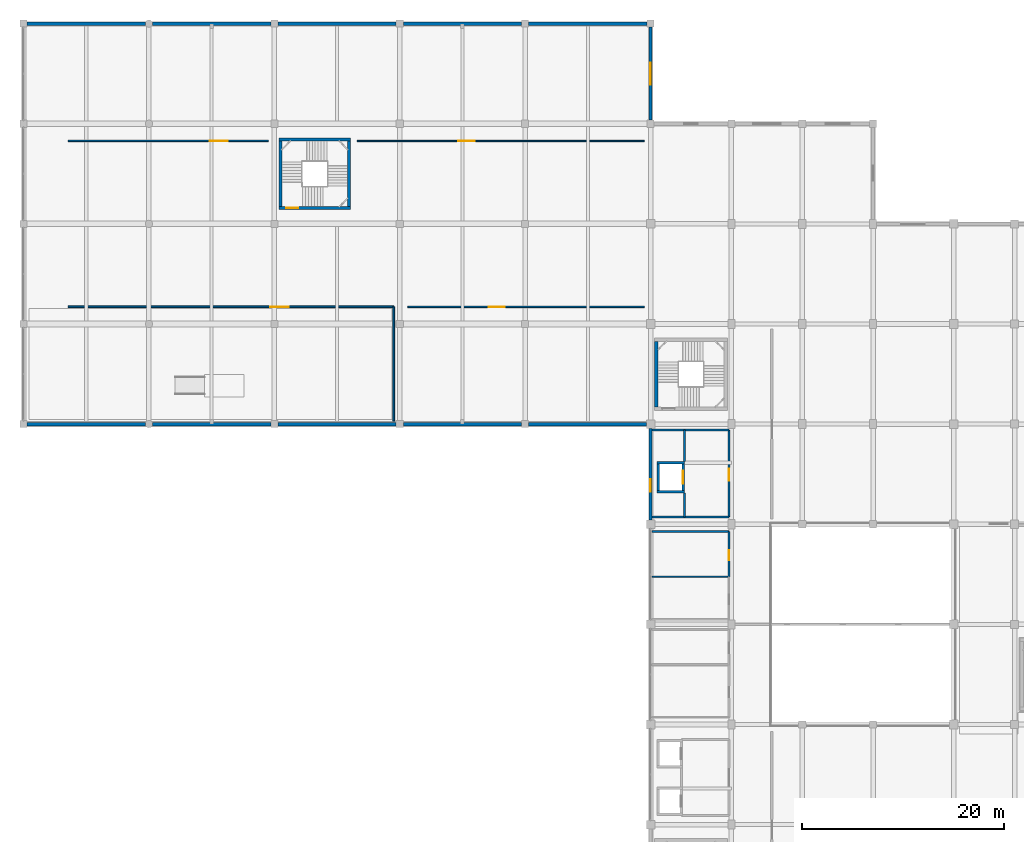
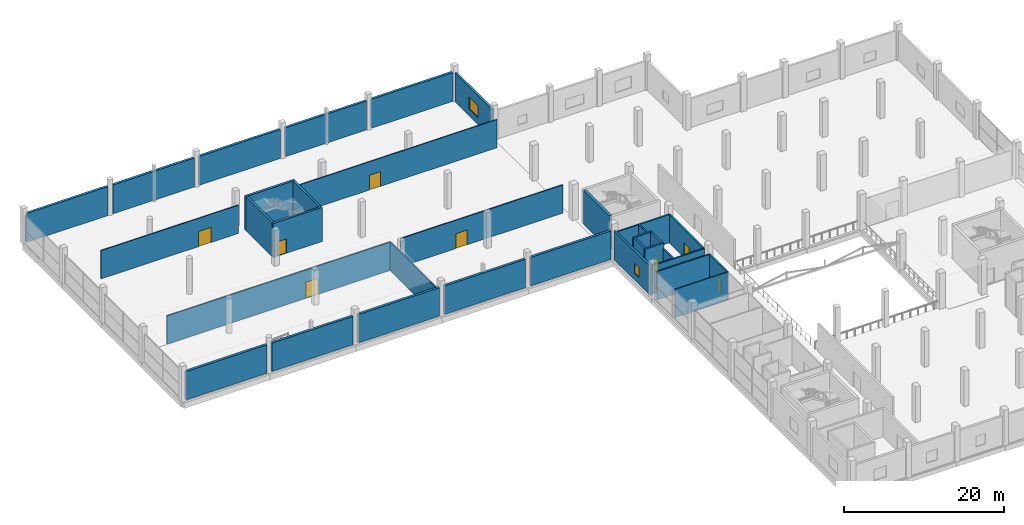
# One storey, part 46 of 74: 34 walls, 8 doors, 2 windows, 10 openings.
"""IFC4 building model written with IfcOpenShell, lengths in metres."""

from ifc_helpers import new_model, si_unit, direction, frame, frame_2d, origin, place, context, subcontext, project, spatial, rectangle, extrude, material, layer, layer_set, type_object, element, fill, save


model = new_model("IFC4")

# Units and contexts
model_context = context("Model", 3, precision=1e-05, world=origin(), true_north=direction((0.0, 1.0)))
body_context = subcontext(model_context, "Body", "Model", "MODEL_VIEW")
ifc_project = project(units=[si_unit("LENGTHUNIT", "METRE"), si_unit("AREAUNIT", "SQUARE_METRE"), si_unit("VOLUMEUNIT", "CUBIC_METRE"), si_unit("PLANEANGLEUNIT", "RADIAN"), si_unit("MASSUNIT", "GRAM", prefix="KILO")], contexts=[model_context])

# Site, building, storey
site_placement = place(None, origin())
site = spatial("IfcSite", under=ifc_project, at=site_placement, CompositionType="ELEMENT")
building_placement = place(site_placement, origin())
building = spatial("IfcBuilding", under=site, at=building_placement, Name="Sillaruma Civic Art Gallery", CompositionType="ELEMENT")
storey_placement = place(building_placement, frame((0.0, 0.0, 5.43994140625)))
storey = spatial("IfcBuildingStorey", under=building, at=storey_placement, Name="L01", CompositionType="ELEMENT", Elevation=5.43994140625)

# Wall, opening, door
ifc_material_1 = material(Name="Concrete H40 (40 MPa)", Category="concrete")
ifc_layer_1 = layer(ifc_material_1, 0.300048828125, Name="Concrete H40 (40 MPa)")
ifc_layer_set_1 = layer_set([ifc_layer_1], Name="Concrete H40 (40 MPa)")
wall_type_1 = type_object("IfcWallType", Name="WAL-CORE-300", PredefinedType="SHEAR", material=ifc_layer_set_1)
wall_1_placement = place(storey_placement, frame((25.260009765625, 100.550048828125, 0.0), z_axis=(0.0, 0.0, 1.0), x_axis=(1.0, 0.0, 0.0)))
wall_1 = element("IfcWall", 1, at=wall_1_placement, inside=storey, type_object=wall_type_1, Name="Stair Core Shear Wall W-CORE-300 (ST-01:L01:S)", PredefinedType="SHEAR", context=body_context, shape_type="SweptSolid", body=[
    extrude(rectangle(XDim=7.080078125, YDim=0.300048828125, at=frame_2d((3.5400390625, 0.0))), origin(), (0.0, 0.0, 1.0), 5.18017578125),
])
opening_1_placement = place(wall_1_placement, frame((0.719970703125, 0.0, 0.0)))
opening_1 = element("IfcOpeningElement", 2, at=opening_1_placement, cuts=wall_1, Name="Opening D-STAIR", PredefinedType="OPENING", context=body_context, shape_type="SweptSolid", body=[
    extrude(rectangle(XDim=1.199951171875, YDim=2.199951171875, at=frame_2d((0.60009765625, 1.10009765625))), frame((0.0, 0.159912109375, 0.0), z_axis=(0.0, -1.0, 0.0), x_axis=(1.0, 0.0, 0.0)), (0.0, 0.0, 1.0), 0.320068359375),
])
ifc_material_2 = material(Name="Galvanised Steel ASTM A653 Gr.50", Category="steel")
door_type_1 = type_object("IfcDoorType", Name="DOR-STAIR-120", OperationType="NOTDEFINED", PredefinedType="DOOR", material=ifc_material_2)
door_1_placement = place(opening_1_placement, origin())
door_1 = element("IfcDoor", 3, at=door_1_placement, inside=storey, type_object=door_type_1, Name="Protected Stair Fire Door (ST-01:L01)", OperationType="SINGLE_SWING_LEFT", OverallHeight=2.199951171875, OverallWidth=1.199951171875, PredefinedType="DOOR", context=body_context, shape_type="SweptSolid", body=[
    extrude(rectangle(XDim=1.199951171875, YDim=2.199951171875, at=frame_2d((0.60009765625, 1.10009765625))), frame((0.0, 0.02490234375, 0.0), z_axis=(0.0, -1.0, 0.0), x_axis=(1.0, 0.0, 0.0)), (0.0, 0.0, 1.0), 0.050048828125),
])
fill(opening_1, door_1)

# Walls
wall_2_placement = place(storey_placement, frame((25.260009765625, 107.330078125, 0.0), z_axis=(0.0, 0.0, 1.0), x_axis=(1.0, 0.0, 0.0)))
element("IfcWall", 4, at=wall_2_placement, inside=storey, type_object=wall_type_1, Name="Stair Core Shear Wall W-CORE-300 (ST-01:L01:N)", PredefinedType="SHEAR", context=body_context, shape_type="SweptSolid", body=[
    extrude(rectangle(XDim=7.080078125, YDim=0.300048828125, at=frame_2d((3.5400390625, 0.0))), origin(), (0.0, 0.0, 1.0), 5.18017578125),
])
for number, where, z_axis, x_axis, name in (
    (5, (25.409912109375, 100.699951171875, 0.0), (0.0, 0.0, 1.0), (0.0, 1.0, 0.0), "Stair Core Shear Wall W-CORE-300 (ST-01:L01:W)"),
    (6, (32.18994140625, 100.699951171875, 0.0), (0.0, 0.0, 1.0), (0.0, 1.0, 0.0), "Stair Core Shear Wall W-CORE-300 (ST-01:L01:E)"),
):
    element("IfcWall", number, at=place(storey_placement, frame(where, z_axis=z_axis, x_axis=x_axis)), inside=storey, type_object=wall_type_1, Name=name, PredefinedType="SHEAR", context=body_context, shape_type="SweptSolid", body=[
        extrude(rectangle(XDim=6.47998046875, YDim=0.300048828125, at=frame_2d((3.239990234375, 0.0))), origin(), (0.0, 0.0, 1.0), 5.18017578125),
    ])
ifc_layer_2 = layer(ifc_material_1, 0.35009765625, Name="Concrete H40 (40 MPa)")
ifc_layer_set_2 = layer_set([ifc_layer_2], Name="Concrete H40 (40 MPa)")
wall_type_2 = type_object("IfcWallType", Name="WAL-CORE-350", PredefinedType="SHEAR", material=ifc_layer_set_2)
wall_3_placement = place(storey_placement, frame((62.5849609375, 80.909912109375, 0.0), z_axis=(0.0, 0.0, 1.0), x_axis=(0.0, 1.0, 0.0)))
element("IfcWall", 7, at=wall_3_placement, inside=storey, type_object=wall_type_2, Name="Stair Core Shear Wall W-CORE-350 (ST-02:L01:W)", PredefinedType="SHEAR", context=body_context, shape_type="SweptSolid", body=[
    extrude(rectangle(XDim=6.47998046875, YDim=0.35009765625, at=frame_2d((3.239990234375, 0.0))), origin(), (0.0, 0.0, 1.0), 5.18017578125),
])

# Wall, opening, window
ifc_material_3 = material(Name="Concrete H35 (35 MPa)", Category="concrete")
ifc_layer_3 = layer(ifc_material_3, 0.159912109375, Name="Concrete backup", Category="concrete")
ifc_material_4 = material(Name="Mineral Wool Thermal Insulation", Category="insulation")
ifc_layer_4 = layer(ifc_material_4, 0.090087890625, Name="Thermal insulation", Category="insulation")
ifc_material_5 = material(Name="Anodised Zinc-Aluminium Alloy", Category="aluminium")
ifc_layer_5 = layer(ifc_material_5, 0.030029296875, Name="Rainscreen finish", Category="aluminium")
ifc_layer_set_3 = layer_set([ifc_layer_3, ifc_layer_4, ifc_layer_5], Name="W-EXT-280")
wall_type_3 = type_object("IfcWallType", Name="WAL-EXT-280", PredefinedType="SOLIDWALL", material=ifc_layer_set_3)
wall_4_placement = place(storey_placement, frame((62.0, 69.72509765625, 0.0), z_axis=(0.0, 0.0, 1.0), x_axis=(0.0, 1.0, 0.0)))
wall_4 = element("IfcWall", 8, at=wall_4_placement, inside=storey, type_object=wall_type_3, Name="Exterior Wall W-EXT-280 (EW-L01-SPW-6)", PredefinedType="SOLIDWALL", context=body_context, shape_type="SweptSolid", body=[
    extrude(rectangle(XDim=9.0498046875, YDim=0.280029296875, at=frame_2d((4.52490234375, 0.0))), origin(), (0.0, 0.0, 1.0), 4.400146484375),
])
opening_2_placement = place(wall_4_placement, frame((2.800048828125, 0.0, 1.050048828125)))
opening_2 = element("IfcOpeningElement", 9, at=opening_2_placement, cuts=wall_4, Name="Opening WN-07", PredefinedType="OPENING", context=body_context, shape_type="SweptSolid", body=[
    extrude(rectangle(XDim=1.199951171875, YDim=1.5, at=frame_2d((0.60009765625, 0.75))), frame((0.0, 0.14990234375, 0.0), z_axis=(0.0, -1.0, 0.0), x_axis=(1.0, 0.0, 0.0)), (0.0, 0.0, 1.0), 0.300048828125),
])
ifc_material_6 = material(Name="Thermally Broken Extruded Aluminium 6063-T6", Category="aluminium")
window_type_1 = type_object("IfcWindowType", Name="WIN-W07", PartitioningType="SINGLE_PANEL", PredefinedType="WINDOW", material=ifc_material_6)
window_1_placement = place(opening_2_placement, origin())
window_1 = element("IfcWindow", 10, at=window_1_placement, inside=storey, type_object=window_type_1, Name="Window WN-07 (EW-L01-SPW-6-1)", OverallHeight=1.5, OverallWidth=1.199951171875, PartitioningType="SINGLE_PANEL", PredefinedType="WINDOW", context=body_context, shape_type="SweptSolid", body=[
    extrude(rectangle(XDim=1.199951171875, YDim=1.5, at=frame_2d((0.60009765625, 0.75))), frame((0.0, 0.030029296875, 0.0), z_axis=(0.0, -1.0, 0.0), x_axis=(1.0, 0.0, 0.0)), (0.0, 0.0, 1.0), 0.06005859375),
])
fill(opening_2, window_1)

ifc_material_7 = material(Name="Precast Concrete H35 (35 MPa)", Category="concrete")
ifc_layer_6 = layer(ifc_material_7, 0.179931640625, Name="Precast backup", Category="concrete")
ifc_layer_7 = layer(ifc_material_4, 0.090087890625, Name="Thermal insulation", Category="insulation")
ifc_material_8 = material(Name="Comanche Granitic Ashlar Stone", Category="masonry")
ifc_layer_8 = layer(ifc_material_8, 0.030029296875, Name="Rainscreen cladding", Category="masonry")
ifc_layer_set_4 = layer_set([ifc_layer_6, ifc_layer_7, ifc_layer_8], Name="W-EXT-300")
wall_type_4 = type_object("IfcWallType", Name="WAL-EXT-300", PredefinedType="SOLIDWALL", material=ifc_layer_set_4)
wall_5_placement = place(storey_placement, frame((62.0, 109.25, 0.0), z_axis=(0.0, 0.0, 1.0), x_axis=(0.0, 1.0, 0.0)))
wall_5 = element("IfcWall", 11, at=wall_5_placement, inside=storey, type_object=wall_type_4, Name="Exterior Wall W-EXT-300 (EW-L01-PNW-W)", PredefinedType="SOLIDWALL", context=body_context, shape_type="SweptSolid", body=[
    extrude(rectangle(XDim=9.199951171875, YDim=0.300048828125, at=frame_2d((4.60009765625, 0.0))), origin(), (0.0, 0.0, 1.0), 4.400146484375),
])
opening_3_placement = place(wall_5_placement, frame((3.5, 0.0, 1.050048828125)))
opening_3 = element("IfcOpeningElement", 12, at=opening_3_placement, cuts=wall_5, Name="Opening WN-02", PredefinedType="OPENING", context=body_context, shape_type="SweptSolid", body=[
    extrude(rectangle(XDim=2.199951171875, YDim=1.800048828125, at=frame_2d((1.10009765625, 0.89990234375))), frame((0.0, 0.159912109375, 0.0), z_axis=(0.0, -1.0, 0.0), x_axis=(1.0, 0.0, 0.0)), (0.0, 0.0, 1.0), 0.320068359375),
])
window_type_2 = type_object("IfcWindowType", Name="WIN-W02", PartitioningType="SINGLE_PANEL", PredefinedType="WINDOW", material=ifc_material_6)
window_2_placement = place(opening_3_placement, origin())
window_2 = element("IfcWindow", 13, at=window_2_placement, inside=storey, type_object=window_type_2, Name="Window WN-02 (EW-L01-PNW-W-1)", OverallHeight=1.800048828125, OverallWidth=2.199951171875, PartitioningType="SINGLE_PANEL", PredefinedType="WINDOW", context=body_context, shape_type="SweptSolid", body=[
    extrude(rectangle(XDim=2.199951171875, YDim=1.800048828125, at=frame_2d((1.10009765625, 0.89990234375))), frame((0.0, 0.030029296875, 0.0), z_axis=(0.0, -1.0, 0.0), x_axis=(1.0, 0.0, 0.0)), (0.0, 0.0, 1.0), 0.06005859375),
])
fill(opening_3, window_2)

# Walls
ifc_layer_9 = layer(ifc_material_1, 0.239990234375, Name="Boundary concrete", Category="concrete")
ifc_layer_10 = layer(ifc_material_4, 0.10009765625, Name="Acoustic-thermal liner", Category="insulation")
ifc_layer_set_5 = layer_set([ifc_layer_9, ifc_layer_10], Name="W-EXT-340")
wall_type_5 = type_object("IfcWallType", Name="WAL-EXT-340", PredefinedType="SOLIDWALL", material=ifc_layer_set_5)
wall_6_placement = place(storey_placement, frame((0.35009765625, 118.800048828125, 0.0), z_axis=(0.0, 0.0, 1.0), x_axis=(1.0, 0.0, 0.0)))
element("IfcWall", 14, at=wall_6_placement, inside=storey, type_object=wall_type_5, Name="Exterior Wall W-EXT-340 (EW-L01-WPN-1)", PredefinedType="SOLIDWALL", context=body_context, shape_type="SweptSolid", body=[
    extrude(rectangle(XDim=11.68994140625, YDim=0.340087890625, at=frame_2d((5.844970703125, 0.0))), origin(), (0.0, 0.0, 1.0), 4.400146484375),
])
wall_7_placement = place(storey_placement, frame((0.35009765625, 79.199951171875, 0.0), z_axis=(0.0, 0.0, 1.0), x_axis=(1.0, 0.0, 0.0)))
element("IfcWall", 15, at=wall_7_placement, inside=storey, type_object=wall_type_5, Name="Exterior Wall W-EXT-340 (EW-L01-WPS-1)", PredefinedType="SOLIDWALL", context=body_context, shape_type="SweptSolid", body=[
    extrude(rectangle(XDim=11.68994140625, YDim=0.340087890625, at=frame_2d((5.844970703125, 0.0))), origin(), (0.0, 0.0, 1.0), 4.330078125),
])
wall_8_placement = place(storey_placement, frame((12.760009765625, 118.800048828125, 0.0), z_axis=(0.0, 0.0, 1.0), x_axis=(1.0, 0.0, 0.0)))
element("IfcWall", 16, at=wall_8_placement, inside=storey, type_object=wall_type_5, Name="Exterior Wall W-EXT-340 (EW-L01-WPN-2)", PredefinedType="SOLIDWALL", context=body_context, shape_type="SweptSolid", body=[
    extrude(rectangle(XDim=11.68994140625, YDim=0.340087890625, at=frame_2d((5.844970703125, 0.0))), origin(), (0.0, 0.0, 1.0), 4.400146484375),
])
wall_9_placement = place(storey_placement, frame((12.760009765625, 79.199951171875, 0.0), z_axis=(0.0, 0.0, 1.0), x_axis=(1.0, 0.0, 0.0)))
element("IfcWall", 17, at=wall_9_placement, inside=storey, type_object=wall_type_5, Name="Exterior Wall W-EXT-340 (EW-L01-WPS-2)", PredefinedType="SOLIDWALL", context=body_context, shape_type="SweptSolid", body=[
    extrude(rectangle(XDim=11.68994140625, YDim=0.340087890625, at=frame_2d((5.844970703125, 0.0))), origin(), (0.0, 0.0, 1.0), 4.330078125),
])
wall_10_placement = place(storey_placement, frame((25.14990234375, 118.800048828125, 0.0), z_axis=(0.0, 0.0, 1.0), x_axis=(1.0, 0.0, 0.0)))
element("IfcWall", 18, at=wall_10_placement, inside=storey, type_object=wall_type_5, Name="Exterior Wall W-EXT-340 (EW-L01-WPN-3)", PredefinedType="SOLIDWALL", context=body_context, shape_type="SweptSolid", body=[
    extrude(rectangle(XDim=11.7001953125, YDim=0.340087890625, at=frame_2d((5.85009765625, 0.0))), origin(), (0.0, 0.0, 1.0), 4.400146484375),
])
wall_11_placement = place(storey_placement, frame((25.14990234375, 79.199951171875, 0.0), z_axis=(0.0, 0.0, 1.0), x_axis=(1.0, 0.0, 0.0)))
element("IfcWall", 19, at=wall_11_placement, inside=storey, type_object=wall_type_5, Name="Exterior Wall W-EXT-340 (EW-L01-WPS-3)", PredefinedType="SOLIDWALL", context=body_context, shape_type="SweptSolid", body=[
    extrude(rectangle(XDim=11.7001953125, YDim=0.340087890625, at=frame_2d((5.85009765625, 0.0))), origin(), (0.0, 0.0, 1.0), 4.330078125),
])
wall_12_placement = place(storey_placement, frame((37.550048828125, 118.800048828125, 0.0), z_axis=(0.0, 0.0, 1.0), x_axis=(1.0, 0.0, 0.0)))
element("IfcWall", 20, at=wall_12_placement, inside=storey, type_object=wall_type_5, Name="Exterior Wall W-EXT-340 (EW-L01-WPN-4)", PredefinedType="SOLIDWALL", context=body_context, shape_type="SweptSolid", body=[
    extrude(rectangle(XDim=11.699951171875, YDim=0.340087890625, at=frame_2d((5.85009765625, 0.0))), origin(), (0.0, 0.0, 1.0), 4.400146484375),
])
wall_13_placement = place(storey_placement, frame((37.550048828125, 79.199951171875, 0.0), z_axis=(0.0, 0.0, 1.0), x_axis=(1.0, 0.0, 0.0)))
element("IfcWall", 21, at=wall_13_placement, inside=storey, type_object=wall_type_5, Name="Exterior Wall W-EXT-340 (EW-L01-WPS-4)", PredefinedType="SOLIDWALL", context=body_context, shape_type="SweptSolid", body=[
    extrude(rectangle(XDim=11.699951171875, YDim=0.340087890625, at=frame_2d((5.85009765625, 0.0))), origin(), (0.0, 0.0, 1.0), 4.330078125),
])
wall_14_placement = place(storey_placement, frame((49.949951171875, 118.800048828125, 0.0), z_axis=(0.0, 0.0, 1.0), x_axis=(1.0, 0.0, 0.0)))
element("IfcWall", 22, at=wall_14_placement, inside=storey, type_object=wall_type_5, Name="Exterior Wall W-EXT-340 (EW-L01-WPN-5)", PredefinedType="SOLIDWALL", context=body_context, shape_type="SweptSolid", body=[
    extrude(rectangle(XDim=11.699951171875, YDim=0.340087890625, at=frame_2d((5.85009765625, 0.0))), origin(), (0.0, 0.0, 1.0), 4.400146484375),
])
wall_15_placement = place(storey_placement, frame((49.949951171875, 79.199951171875, 0.0), z_axis=(0.0, 0.0, 1.0), x_axis=(1.0, 0.0, 0.0)))
element("IfcWall", 23, at=wall_15_placement, inside=storey, type_object=wall_type_5, Name="Exterior Wall W-EXT-340 (EW-L01-WPS-5)", PredefinedType="SOLIDWALL", context=body_context, shape_type="SweptSolid", body=[
    extrude(rectangle(XDim=11.625, YDim=0.340087890625, at=frame_2d((5.8125, 0.0))), origin(), (0.0, 0.0, 1.0), 4.330078125),
])
ifc_material_9 = material(Name="Concrete Masonry Unit Grade M15", Category="masonry")
ifc_layer_11 = layer(ifc_material_9, 0.199951171875, Name="Concrete Masonry Unit Grade M15")
ifc_layer_set_6 = layer_set([ifc_layer_11], Name="Concrete Masonry Unit Grade M15")
wall_type_6 = type_object("IfcWallType", Name="WAL-LOBBY-200", PredefinedType="SOLIDWALL", material=ifc_layer_set_6)
for number, where, z_axis, x_axis, name in (
    (24, (62.14990234375, 70.0, 0.0), (0.0, 0.0, 1.0), (1.0, 0.0, 0.0), "Interior Wall W-LOBBY-200 (L01-FFL)"),
    (25, (62.14990234375, 78.60009765625, 0.0), (0.0, 0.0, 1.0), (1.0, 0.0, 0.0), "Interior Wall W-LOBBY-200 (L01-FFL)"),
):
    element("IfcWall", number, at=place(storey_placement, frame(where, z_axis=z_axis, x_axis=x_axis)), inside=storey, type_object=wall_type_6, Name=name, PredefinedType="SOLIDWALL", context=body_context, shape_type="SweptSolid", body=[
        extrude(rectangle(XDim=7.60009765625, YDim=0.199951171875, at=frame_2d((3.800048828125, 0.0))), origin(), (0.0, 0.0, 1.0), 4.300048828125),
    ])
wall_16_placement = place(storey_placement, frame((65.35009765625, 70.0, 0.0), z_axis=(0.0, 0.0, 1.0), x_axis=(0.0, 1.0, 0.0)))
element("IfcWall", 26, at=wall_16_placement, inside=storey, type_object=wall_type_6, Name="Interior Wall W-LOBBY-200 (L01-FFL)", PredefinedType="SOLIDWALL", context=body_context, shape_type="SweptSolid", body=[
    extrude(rectangle(XDim=2.39990234375, YDim=0.199951171875, at=frame_2d((1.199951171875, 0.0))), origin(), (0.0, 0.0, 1.0), 4.300048828125),
])
wall_17_placement = place(storey_placement, frame((65.35009765625, 75.5, 0.0), z_axis=(0.0, 0.0, 1.0), x_axis=(0.0, 1.0, 0.0)))
element("IfcWall", 27, at=wall_17_placement, inside=storey, type_object=wall_type_6, Name="Interior Wall W-LOBBY-200 (L01-FFL)", PredefinedType="SOLIDWALL", context=body_context, shape_type="SweptSolid", body=[
    extrude(rectangle(XDim=3.10009765625, YDim=0.199951171875, at=frame_2d((1.550048828125, 0.0))), origin(), (0.0, 0.0, 1.0), 4.300048828125),
])

# Wall, opening, door
wall_18_placement = place(storey_placement, frame((69.75, 70.0, 0.0), z_axis=(0.0, 0.0, 1.0), x_axis=(0.0, 1.0, 0.0)))
wall_18 = element("IfcWall", 28, at=wall_18_placement, inside=storey, type_object=wall_type_6, Name="Interior Wall W-LOBBY-200 (L01-FFL)", PredefinedType="SOLIDWALL", context=body_context, shape_type="SweptSolid", body=[
    extrude(rectangle(XDim=8.60009765625, YDim=0.199951171875, at=frame_2d((4.300048828125, 0.0))), origin(), (0.0, 0.0, 1.0), 4.300048828125),
])
opening_4_placement = place(wall_18_placement, frame((3.60009765625, 0.0, 0.0)))
opening_4 = element("IfcOpeningElement", 29, at=opening_4_placement, cuts=wall_18, Name="Opening D-FFL", PredefinedType="OPENING", context=body_context, shape_type="SweptSolid", body=[
    extrude(rectangle(XDim=1.199951171875, YDim=2.25, at=frame_2d((0.60009765625, 1.125))), frame((0.0, 0.10986328125, 0.0), z_axis=(0.0, -1.0, 0.0), x_axis=(1.0, 0.0, 0.0)), (0.0, 0.0, 1.0), 0.219970703125),
])
door_type_2 = type_object("IfcDoorType", Name="DOR-FFL-120", OperationType="NOTDEFINED", PredefinedType="DOOR", material=ifc_material_2)
door_2_placement = place(opening_4_placement, origin())
door_2 = element("IfcDoor", 30, at=door_2_placement, inside=storey, type_object=door_type_2, Name="Firefighting Lobby Door (D-FFL)", OperationType="SINGLE_SWING_RIGHT", OverallHeight=2.25, OverallWidth=1.199951171875, PredefinedType="DOOR", context=body_context, shape_type="SweptSolid", body=[
    extrude(rectangle(XDim=1.199951171875, YDim=2.25, at=frame_2d((0.60009765625, 1.125))), frame((0.0, 0.02490234375, 0.0), z_axis=(0.0, -1.0, 0.0), x_axis=(1.0, 0.0, 0.0)), (0.0, 0.0, 1.0), 0.050048828125),
])
fill(opening_4, door_2)

# Wall
wall_19_placement = place(storey_placement, frame((62.14990234375, 68.60009765625, 0.0), z_axis=(0.0, 0.0, 1.0), x_axis=(1.0, 0.0, 0.0)))
element("IfcWall", 31, at=wall_19_placement, inside=storey, type_object=wall_type_6, Name="Interior Wall W-LOBBY-200 (L01-RSR)", PredefinedType="SOLIDWALL", context=body_context, shape_type="SweptSolid", body=[
    extrude(rectangle(XDim=7.60009765625, YDim=0.199951171875, at=frame_2d((3.800048828125, 0.0))), origin(), (0.0, 0.0, 1.0), 4.300048828125),
])

# Wall, opening, door
wall_20_placement = place(storey_placement, frame((69.75, 64.10009765625, 0.0), z_axis=(0.0, 0.0, 1.0), x_axis=(0.0, 1.0, 0.0)))
wall_20 = element("IfcWall", 32, at=wall_20_placement, inside=storey, type_object=wall_type_6, Name="Interior Wall W-LOBBY-200 (L01-RSR)", PredefinedType="SOLIDWALL", context=body_context, shape_type="SweptSolid", body=[
    extrude(rectangle(XDim=4.5, YDim=0.199951171875, at=frame_2d((2.25, 0.0))), origin(), (0.0, 0.0, 1.0), 4.300048828125),
])
opening_5_placement = place(wall_20_placement, frame((1.64990234375, 0.0, 0.0)))
opening_5 = element("IfcOpeningElement", 33, at=opening_5_placement, cuts=wall_20, Name="Opening D-RISER", PredefinedType="OPENING", context=body_context, shape_type="SweptSolid", body=[
    extrude(rectangle(XDim=1.0, YDim=2.14990234375, at=frame_2d((0.5, 1.074951171875))), frame((0.0, 0.10986328125, 0.0), z_axis=(0.0, -1.0, 0.0), x_axis=(1.0, 0.0, 0.0)), (0.0, 0.0, 1.0), 0.219970703125),
])
door_type_3 = type_object("IfcDoorType", Name="DOR-RISER-100", OperationType="NOTDEFINED", PredefinedType="DOOR", material=ifc_material_2)
door_3_placement = place(opening_5_placement, origin())
door_3 = element("IfcDoor", 34, at=door_3_placement, inside=storey, type_object=door_type_3, Name="MEP Service Riser Door (D-RISER)", OperationType="SINGLE_SWING_RIGHT", OverallHeight=2.14990234375, OverallWidth=1.0, PredefinedType="DOOR", context=body_context, shape_type="SweptSolid", body=[
    extrude(rectangle(XDim=1.0, YDim=2.14990234375, at=frame_2d((0.5, 1.074951171875))), frame((0.0, 0.02490234375, 0.0), z_axis=(0.0, -1.0, 0.0), x_axis=(1.0, 0.0, 0.0)), (0.0, 0.0, 1.0), 0.050048828125),
])
fill(opening_5, door_3)

# Wall
ifc_material_10 = material(Name="Gypsum Acoustic Board", Category="gypsum")
ifc_layer_12 = layer(ifc_material_10, 0.02490234375, Name="Finish board", Category="gypsum")
ifc_layer_13 = layer(ifc_material_4, 0.070068359375, Name="Acoustic core", Category="insulation")
ifc_material_11 = material(Name="Andean Oak Timber", Category="wood")
ifc_layer_14 = layer(ifc_material_11, 0.02490234375, Name="Gallery lining", Category="wood")
ifc_layer_set_7 = layer_set([ifc_layer_12, ifc_layer_13, ifc_layer_14], Name="W-PT-120")
wall_type_7 = type_object("IfcWallType", Name="WAL-PART-120", PredefinedType="PARTITIONING", material=ifc_layer_set_7)
wall_21_placement = place(storey_placement, frame((62.14990234375, 64.10009765625, 0.0), z_axis=(0.0, 0.0, 1.0), x_axis=(1.0, 0.0, 0.0)))
element("IfcWall", 35, at=wall_21_placement, inside=storey, type_object=wall_type_7, Name="Interior Wall W-PT-120 (L01-CLN)", PredefinedType="PARTITIONING", context=body_context, shape_type="SweptSolid", body=[
    extrude(rectangle(XDim=7.60009765625, YDim=0.1201171875, at=frame_2d((3.800048828125, 0.0))), origin(), (0.0, 0.0, 1.0), 4.300048828125),
])

# Wall, opening, door
ifc_layer_15 = layer(ifc_material_10, 0.02490234375, Name="Finish board", Category="gypsum")
ifc_layer_16 = layer(ifc_material_4, 0.080078125, Name="Acoustic core", Category="insulation")
ifc_layer_17 = layer(ifc_material_11, 0.02490234375, Name="Gallery lining", Category="wood")
ifc_layer_set_8 = layer_set([ifc_layer_15, ifc_layer_16, ifc_layer_17], Name="W-PT-130")
wall_type_8 = type_object("IfcWallType", Name="WAL-PART-130", PredefinedType="PARTITIONING", material=ifc_layer_set_8)
wall_22_placement = place(storey_placement, frame((33.0, 107.199951171875, 0.0), z_axis=(0.0, 0.0, 1.0), x_axis=(1.0, 0.0, 0.0)))
wall_22 = element("IfcWall", 36, at=wall_22_placement, inside=storey, type_object=wall_type_8, Name="Interior Wall W-PT-130 (L01-CNS12)", PredefinedType="PARTITIONING", context=body_context, shape_type="SweptSolid", body=[
    extrude(rectangle(XDim=28.39990234375, YDim=0.1298828125, at=frame_2d((14.199951171875, 0.0))), origin(), (0.0, 0.0, 1.0), 4.300048828125),
])
opening_6_placement = place(wall_22_placement, frame((10.0, 0.0, 0.0)))
opening_6 = element("IfcOpeningElement", 37, at=opening_6_placement, cuts=wall_22, Name="Opening D-INT16", PredefinedType="OPENING", context=body_context, shape_type="SweptSolid", body=[
    extrude(rectangle(XDim=1.60009765625, YDim=2.25, at=frame_2d((0.800048828125, 1.125))), frame((0.0, 0.074951171875, 0.0), z_axis=(0.0, -1.0, 0.0), x_axis=(1.0, 0.0, 0.0)), (0.0, 0.0, 1.0), 0.14990234375),
])
door_type_4 = type_object("IfcDoorType", Name="DOR-INT-160", OperationType="NOTDEFINED", PredefinedType="DOOR", material=ifc_material_11)
door_4_placement = place(opening_6_placement, origin())
door_4 = element("IfcDoor", 38, at=door_4_placement, inside=storey, type_object=door_type_4, Name="Paintings Conservation Studio Door (D-INT16)", OperationType="DOUBLE_DOOR_SINGLE_SWING", OverallHeight=2.25, OverallWidth=1.60009765625, PredefinedType="DOOR", context=body_context, shape_type="SweptSolid", body=[
    extrude(rectangle(XDim=1.60009765625, YDim=2.25, at=frame_2d((0.800048828125, 1.125))), frame((0.0, 0.02490234375, 0.0), z_axis=(0.0, -1.0, 0.0), x_axis=(1.0, 0.0, 0.0)), (0.0, 0.0, 1.0), 0.050048828125),
])
fill(opening_6, door_4)

ifc_layer_18 = layer(ifc_material_10, 0.02490234375, Name="Finish board", Category="gypsum")
ifc_layer_19 = layer(ifc_material_4, 0.090087890625, Name="Acoustic core", Category="insulation")
ifc_layer_20 = layer(ifc_material_11, 0.02490234375, Name="Gallery lining", Category="wood")
ifc_layer_set_9 = layer_set([ifc_layer_18, ifc_layer_19, ifc_layer_20], Name="W-PT-140")
wall_type_9 = type_object("IfcWallType", Name="WAL-PART-140", PredefinedType="PARTITIONING", material=ifc_layer_set_9)
wall_23_placement = place(storey_placement, frame((4.39990234375, 107.199951171875, 0.0), z_axis=(0.0, 0.0, 1.0), x_axis=(1.0, 0.0, 0.0)))
wall_23 = element("IfcWall", 39, at=wall_23_placement, inside=storey, type_object=wall_type_9, Name="Interior Wall W-PT-140 (L01-CNS12)", PredefinedType="PARTITIONING", context=body_context, shape_type="SweptSolid", body=[
    extrude(rectangle(XDim=19.800048828125, YDim=0.139892578125, at=frame_2d((9.89990234375, 0.0))), origin(), (0.0, 0.0, 1.0), 4.300048828125),
])
opening_7_placement = place(wall_23_placement, frame((14.0, 0.0, 0.0)))
opening_7 = element("IfcOpeningElement", 40, at=opening_7_placement, cuts=wall_23, Name="Opening D-INT18", PredefinedType="OPENING", context=body_context, shape_type="SweptSolid", body=[
    extrude(rectangle(XDim=1.800048828125, YDim=2.300048828125, at=frame_2d((0.89990234375, 1.14990234375))), frame((0.0, 0.079833984375, 0.0), z_axis=(0.0, -1.0, 0.0), x_axis=(1.0, 0.0, 0.0)), (0.0, 0.0, 1.0), 0.159912109375),
])
door_type_5 = type_object("IfcDoorType", Name="DOR-INT-180", OperationType="NOTDEFINED", PredefinedType="DOOR", material=ifc_material_11)
door_5_placement = place(opening_7_placement, origin())
door_5 = element("IfcDoor", 41, at=door_5_placement, inside=storey, type_object=door_type_5, Name="Paintings Conservation Studio Door (D-INT18)", OperationType="DOUBLE_DOOR_SINGLE_SWING", OverallHeight=2.300048828125, OverallWidth=1.800048828125, PredefinedType="DOOR", context=body_context, shape_type="SweptSolid", body=[
    extrude(rectangle(XDim=1.800048828125, YDim=2.300048828125, at=frame_2d((0.89990234375, 1.14990234375))), frame((0.0, 0.02490234375, 0.0), z_axis=(0.0, -1.0, 0.0), x_axis=(1.0, 0.0, 0.0)), (0.0, 0.0, 1.0), 0.050048828125),
])
fill(opening_7, door_5)

ifc_layer_21 = layer(ifc_material_10, 0.02490234375, Name="Finish board", Category="gypsum")
ifc_layer_22 = layer(ifc_material_4, 0.10009765625, Name="Acoustic core", Category="insulation")
ifc_layer_23 = layer(ifc_material_11, 0.02490234375, Name="Gallery lining", Category="wood")
ifc_layer_set_10 = layer_set([ifc_layer_21, ifc_layer_22, ifc_layer_23], Name="W-PT-150")
wall_type_10 = type_object("IfcWallType", Name="WAL-PART-150", PredefinedType="PARTITIONING", material=ifc_layer_set_10)
wall_24_placement = place(storey_placement, frame((38.0, 90.800048828125, 0.0), z_axis=(0.0, 0.0, 1.0), x_axis=(1.0, 0.0, 0.0)))
wall_24 = element("IfcWall", 42, at=wall_24_placement, inside=storey, type_object=wall_type_10, Name="Interior Wall W-PT-150 (L01-CNS11)", PredefinedType="PARTITIONING", context=body_context, shape_type="SweptSolid", body=[
    extrude(rectangle(XDim=23.39990234375, YDim=0.14990234375, at=frame_2d((11.699951171875, 0.0))), origin(), (0.0, 0.0, 1.0), 4.300048828125),
])
opening_8_placement = place(wall_24_placement, frame((8.0, 0.0, 0.0)))
opening_8 = element("IfcOpeningElement", 43, at=opening_8_placement, cuts=wall_24, Name="Opening D-INT16", PredefinedType="OPENING", context=body_context, shape_type="SweptSolid", body=[
    extrude(rectangle(XDim=1.60009765625, YDim=2.25, at=frame_2d((0.800048828125, 1.125))), frame((0.0, 0.0849609375, 0.0), z_axis=(0.0, -1.0, 0.0), x_axis=(1.0, 0.0, 0.0)), (0.0, 0.0, 1.0), 0.169921875),
])
door_6_placement = place(opening_8_placement, origin())
door_6 = element("IfcDoor", 44, at=door_6_placement, inside=storey, type_object=door_type_4, Name="Paper and Textile Conservation Studio Door (D-INT16)", OperationType="DOUBLE_DOOR_SINGLE_SWING", OverallHeight=2.25, OverallWidth=1.60009765625, PredefinedType="DOOR", context=body_context, shape_type="SweptSolid", body=[
    extrude(rectangle(XDim=1.60009765625, YDim=2.25, at=frame_2d((0.800048828125, 1.125))), frame((0.0, 0.02490234375, 0.0), z_axis=(0.0, -1.0, 0.0), x_axis=(1.0, 0.0, 0.0)), (0.0, 0.0, 1.0), 0.050048828125),
])
fill(opening_8, door_6)

# Wall
ifc_layer_24 = layer(ifc_material_10, 0.02490234375, Name="Finish board", Category="gypsum")
ifc_layer_25 = layer(ifc_material_4, 0.114990234375, Name="Acoustic core", Category="insulation")
ifc_layer_26 = layer(ifc_material_11, 0.02490234375, Name="Gallery lining", Category="wood")
ifc_layer_set_11 = layer_set([ifc_layer_24, ifc_layer_25, ifc_layer_26], Name="W-PT-165")
wall_type_11 = type_object("IfcWallType", Name="WAL-PART-165", PredefinedType="PARTITIONING", material=ifc_layer_set_11)
wall_25_placement = place(storey_placement, frame((36.60009765625, 79.5, 0.0), z_axis=(0.0, 0.0, 1.0), x_axis=(0.0, 1.0, 0.0)))
element("IfcWall", 45, at=wall_25_placement, inside=storey, type_object=wall_type_11, Name="Interior Wall W-PT-165 (L01-GAL11)", PredefinedType="PARTITIONING", context=body_context, shape_type="SweptSolid", body=[
    extrude(rectangle(XDim=11.300048828125, YDim=0.1650390625, at=frame_2d((5.64990234375, 0.0))), origin(), (0.0, 0.0, 1.0), 4.300048828125),
])

# Wall, opening, door
ifc_layer_27 = layer(ifc_material_10, 0.02490234375, Name="Finish board", Category="gypsum")
ifc_layer_28 = layer(ifc_material_4, 0.1298828125, Name="Acoustic core", Category="insulation")
ifc_layer_29 = layer(ifc_material_11, 0.02490234375, Name="Gallery lining", Category="wood")
ifc_layer_set_12 = layer_set([ifc_layer_27, ifc_layer_28, ifc_layer_29], Name="W-PT-180")
wall_type_12 = type_object("IfcWallType", Name="WAL-PART-180", PredefinedType="PARTITIONING", material=ifc_layer_set_12)
wall_26_placement = place(storey_placement, frame((4.39990234375, 90.800048828125, 0.0), z_axis=(0.0, 0.0, 1.0), x_axis=(1.0, 0.0, 0.0)))
wall_26 = element("IfcWall", 46, at=wall_26_placement, inside=storey, type_object=wall_type_12, Name="Interior Wall W-PT-180 (L01-GAL11)", PredefinedType="PARTITIONING", context=body_context, shape_type="SweptSolid", body=[
    extrude(rectangle(XDim=32.2001953125, YDim=0.179931640625, at=frame_2d((16.10009765625, 0.0))), origin(), (0.0, 0.0, 1.0), 4.300048828125),
])
opening_9_placement = place(wall_26_placement, frame((20.0, 0.0, 0.0)))
opening_9 = element("IfcOpeningElement", 47, at=opening_9_placement, cuts=wall_26, Name="Opening D-GAL18", PredefinedType="OPENING", context=body_context, shape_type="SweptSolid", body=[
    extrude(rectangle(XDim=1.800048828125, YDim=2.449951171875, at=frame_2d((0.89990234375, 1.22509765625))), frame((0.0, 0.099853515625, 0.0), z_axis=(0.0, -1.0, 0.0), x_axis=(1.0, 0.0, 0.0)), (0.0, 0.0, 1.0), 0.199951171875),
])
door_type_6 = type_object("IfcDoorType", Name="DOR-GAL-180", OperationType="NOTDEFINED", PredefinedType="DOOR", material=ifc_material_11)
door_7_placement = place(opening_9_placement, origin())
door_7 = element("IfcDoor", 48, at=door_7_placement, inside=storey, type_object=door_type_6, Name="West Podium Contemporary Gallery Door (D-GAL18)", OperationType="DOUBLE_DOOR_SINGLE_SWING", OverallHeight=2.449951171875, OverallWidth=1.800048828125, PredefinedType="DOOR", context=body_context, shape_type="SweptSolid", body=[
    extrude(rectangle(XDim=1.800048828125, YDim=2.449951171875, at=frame_2d((0.89990234375, 1.22509765625))), frame((0.0, 0.02490234375, 0.0), z_axis=(0.0, -1.0, 0.0), x_axis=(1.0, 0.0, 0.0)), (0.0, 0.0, 1.0), 0.050048828125),
])
fill(opening_9, door_7)

# Walls
ifc_layer_30 = layer(ifc_material_1, 0.25, Name="Concrete H40 (40 MPa)")
ifc_layer_set_13 = layer_set([ifc_layer_30], Name="Concrete H40 (40 MPa)")
wall_type_13 = type_object("IfcWallType", Name="WAL-SHAFT-250", PredefinedType="SOLIDWALL", material=ifc_layer_set_13)
for number, where, z_axis, x_axis, name in (
    (49, (62.64990234375, 72.52490234375, 0.0), (0.0, 0.0, 1.0), (1.0, 0.0, 0.0), "Lift Shaft Wall W-SHAFT-250 (FFL-01:L01:S)"),
    (50, (62.64990234375, 75.375, 0.0), (0.0, 0.0, 1.0), (1.0, 0.0, 0.0), "Lift Shaft Wall W-SHAFT-250 (FFL-01:L01:N)"),
):
    element("IfcWall", number, at=place(storey_placement, frame(where, z_axis=z_axis, x_axis=x_axis)), inside=storey, type_object=wall_type_13, Name=name, PredefinedType="SOLIDWALL", context=body_context, shape_type="SweptSolid", body=[
        extrude(rectangle(XDim=2.7001953125, YDim=0.25, at=frame_2d((1.35009765625, 0.0))), origin(), (0.0, 0.0, 1.0), 5.16015625),
    ])
wall_27_placement = place(storey_placement, frame((62.77490234375, 72.64990234375, 0.0), z_axis=(0.0, 0.0, 1.0), x_axis=(0.0, 1.0, 0.0)))
element("IfcWall", 51, at=wall_27_placement, inside=storey, type_object=wall_type_13, Name="Lift Shaft Wall W-SHAFT-250 (FFL-01:L01:W)", PredefinedType="SOLIDWALL", context=body_context, shape_type="SweptSolid", body=[
    extrude(rectangle(XDim=2.60009765625, YDim=0.25, at=frame_2d((1.300048828125, 0.0))), origin(), (0.0, 0.0, 1.0), 5.16015625),
])

# Wall, opening, door
wall_28_placement = place(storey_placement, frame((65.22509765625, 72.64990234375, 0.0), z_axis=(0.0, 0.0, 1.0), x_axis=(0.0, 1.0, 0.0)))
wall_28 = element("IfcWall", 52, at=wall_28_placement, inside=storey, type_object=wall_type_13, Name="Lift Shaft Wall W-SHAFT-250 (FFL-01:L01:E)", PredefinedType="SOLIDWALL", context=body_context, shape_type="SweptSolid", body=[
    extrude(rectangle(XDim=2.60009765625, YDim=0.25, at=frame_2d((1.300048828125, 0.0))), origin(), (0.0, 0.0, 1.0), 5.16015625),
])
opening_10_placement = place(wall_28_placement, frame((0.675048828125, 0.0, 0.0)))
opening_10 = element("IfcOpeningElement", 53, at=opening_10_placement, cuts=wall_28, Name="Opening LD-02", PredefinedType="OPENING", context=body_context, shape_type="SweptSolid", body=[
    extrude(rectangle(XDim=1.25, YDim=2.199951171875, at=frame_2d((0.625, 1.10009765625))), frame((0.0, 0.135009765625, 0.0), z_axis=(0.0, -1.0, 0.0), x_axis=(1.0, 0.0, 0.0)), (0.0, 0.0, 1.0), 0.27001953125),
])
door_type_7 = type_object("IfcDoorType", Name="DOR-LD-02", OperationType="NOTDEFINED", PredefinedType="DOOR", material=ifc_material_2)
door_8_placement = place(opening_10_placement, origin())
door_8 = element("IfcDoor", 54, at=door_8_placement, inside=storey, type_object=door_type_7, Name="Lift Sliding Landing Door LD-02 (FFL-01:L01)", OperationType="DOUBLE_DOOR_SLIDING", OverallHeight=2.199951171875, OverallWidth=1.25, PredefinedType="DOOR", context=body_context, shape_type="SweptSolid", body=[
    extrude(rectangle(XDim=1.25, YDim=2.199951171875, at=frame_2d((0.625, 1.10009765625))), frame((0.0, 0.02490234375, 0.0), z_axis=(0.0, -1.0, 0.0), x_axis=(1.0, 0.0, 0.0)), (0.0, 0.0, 1.0), 0.050048828125),
])
fill(opening_10, door_8)

save(model, "model.ifc")
